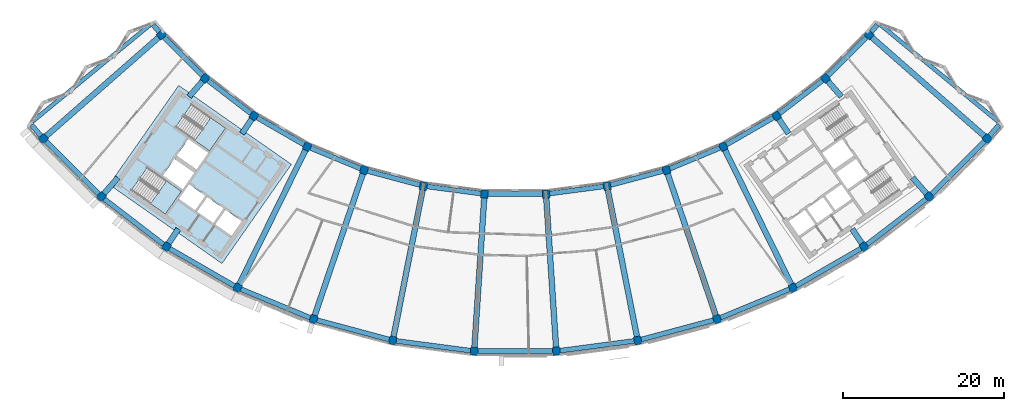
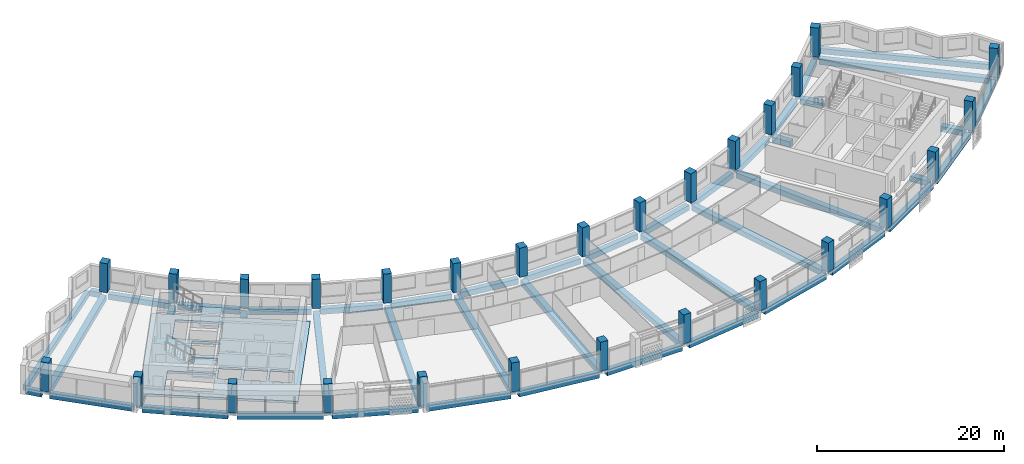
# One storey, part 1 of 28: 50 beams, 28 columns, 3 slabs, 2 elements without a shape of their own.
"""IFC4 building model written with IfcOpenShell, lengths in metres."""

import ifcopenshell
import ifcopenshell.guid

model = None  # the IFC model being written
_history = None  # IfcOwnerHistory: only IFC2X3 demands one
_inside = {}  # id of a spatial element -> (the spatial element, [elements in it])
_under = {}  # id of a project, library or spatial element -> (it, [spatial elements below it])
_declared = {}  # id of a project -> (the project, [libraries it declares])
_typed = {}  # id of a type object -> (the type object, [elements of that type])
_made_of = {}  # id of a material, layer set ... -> (it, [elements and type objects made of it])


def new_model(schema):
    """Start an empty IFC model of exactly this schema.

    Asked for "IFC4X3", IfcOpenShell would pick the latest addendum, in which some entities
    have other attributes; the version numbers below select the first issue.
    IFC2X3 requires an IfcOwnerHistory on every rooted entity: one is made here for all.
    """
    global model, _history
    if schema == "IFC4X3":
        model = ifcopenshell.file(schema_version=(4, 3, 0, 0))
    else:
        model = ifcopenshell.file(schema=schema)
    _inside.clear()
    _under.clear()
    _declared.clear()
    _typed.clear()
    _made_of.clear()
    _history = None
    if model.schema == "IFC2X3":
        org = make("IfcOrganization", Name="unknown")
        user = make(
            "IfcPersonAndOrganization",
            ThePerson=make("IfcPerson", FamilyName="unknown"),
            TheOrganization=org,
        )
        app = make(
            "IfcApplication",
            ApplicationDeveloper=org,
            Version="unknown",
            ApplicationFullName="unknown",
            ApplicationIdentifier="unknown",
        )
        _history = make(
            "IfcOwnerHistory",
            OwningUser=user,
            OwningApplication=app,
            ChangeAction="ADDED",
            CreationDate=0,
        )
    return model


def make(cls, **values):
    """One entity of the class cls with the attributes given. An attribute that is None is left unset."""
    return model.create_entity(
        cls, **{name: value for name, value in values.items() if value is not None}
    )


def rooted(cls, **values):
    """An entity with a GlobalId (a new one), such as an element, a storey or a relation."""
    return make(cls, GlobalId=ifcopenshell.guid.new(), OwnerHistory=_history, **values)


def si_unit(unit_type, name, prefix=None):
    """IfcSIUnit, for example si_unit("LENGTHUNIT", "METRE", prefix="MILLI")."""
    return make("IfcSIUnit", UnitType=unit_type, Prefix=prefix, Name=name)


def assignment(units):
    """IfcUnitAssignment: the units of a project."""
    return None if units is None else make("IfcUnitAssignment", Units=units)


def point(xyz):
    """IfcCartesianPoint."""
    return None if xyz is None else make("IfcCartesianPoint", Coordinates=xyz)


def direction(xyz):
    """IfcDirection."""
    return None if xyz is None else make("IfcDirection", DirectionRatios=xyz)


def frame(location, z_axis=None, x_axis=None):
    """IfcAxis2Placement3D, a coordinate frame: its origin and axes. An axis left out is left unset."""
    return make(
        "IfcAxis2Placement3D",
        Location=point(location),
        Axis=direction(z_axis),
        RefDirection=direction(x_axis),
    )


def frame_2d(location, x_axis=None):
    """IfcAxis2Placement2D, a coordinate frame in the plane: its origin and x axis."""
    return make(
        "IfcAxis2Placement2D", Location=point(location), RefDirection=direction(x_axis)
    )


def origin():
    """The frame at (0, 0, 0) with its axes left unset."""
    return frame((0.0, 0.0, 0.0))


def origin_2d():
    """The frame at (0, 0) in the plane with its x axis left unset."""
    return frame_2d((0.0, 0.0))


def place(relative_to, where):
    """IfcLocalPlacement: puts the frame where relative to a parent placement (None: the world)."""
    return make(
        "IfcLocalPlacement", PlacementRelTo=relative_to, RelativePlacement=where
    )


def context(
    kind, dimensions, precision=None, world=None, true_north=None, identifier=None
):
    """IfcGeometricRepresentationContext, for example the 3D "Model" context."""
    return make(
        "IfcGeometricRepresentationContext",
        ContextIdentifier=identifier,
        ContextType=kind,
        CoordinateSpaceDimension=dimensions,
        Precision=precision,
        WorldCoordinateSystem=world,
        TrueNorth=true_north,
    )


def subcontext(parent, identifier, kind, view, scale=None):
    """IfcGeometricRepresentationSubContext, for example "Body" below "Model"."""
    return make(
        "IfcGeometricRepresentationSubContext",
        ContextIdentifier=identifier,
        ContextType=kind,
        ParentContext=parent,
        TargetScale=scale,
        TargetView=view,
    )


def project(units=None, contexts=None):
    """IfcProject with its units and contexts."""
    return rooted(
        "IfcProject",
        Name="project",
        RepresentationContexts=contexts,
        UnitsInContext=assignment(units),
    )


def spatial(cls, under=None, at=None, **own):
    """A site, building, storey or space (cls), placed at a placement, below another one or the project."""
    s = rooted(cls, ObjectPlacement=at, **own)
    if under is not None:
        _under.setdefault(under.id(), (under, []))[1].append(s)
    return s


def polyline(points):
    """IfcPolyline through the points."""
    return make("IfcPolyline", Points=[point(p) for p in points])


def profile(cls, at=None, kind="AREA", **sizes):
    """A parametric profile (cls). Its sizes go by their IFC names, for example OverallWidth=200.0."""
    return make(cls, ProfileType=kind, Position=at, **sizes)


def rectangle(**sizes):
    """IfcRectangleProfileDef."""
    return profile("IfcRectangleProfileDef", **sizes)


def outline(outer, holes=None, kind="AREA"):
    """IfcArbitraryClosedProfileDef: a profile drawn as a closed curve; with holes, ...WithVoids."""
    if holes is None:
        return make("IfcArbitraryClosedProfileDef", ProfileType=kind, OuterCurve=outer)
    return make(
        "IfcArbitraryProfileDefWithVoids",
        ProfileType=kind,
        OuterCurve=outer,
        InnerCurves=holes,
    )


def extrude(swept, where, along, depth):
    """IfcExtrudedAreaSolid: the profile swept, set in the frame where, extruded along a direction by depth."""
    return make(
        "IfcExtrudedAreaSolid",
        SweptArea=swept,
        Position=where,
        ExtrudedDirection=direction(along),
        Depth=depth,
    )


def shape(context_of_items, identifier, shape_type, items):
    """IfcShapeRepresentation: the items that make up one representation, for example the "Body"."""
    return make(
        "IfcShapeRepresentation",
        ContextOfItems=context_of_items,
        RepresentationIdentifier=identifier,
        RepresentationType=shape_type,
        Items=items,
    )


def material(Name=None, Category=None):
    """IfcMaterial."""
    return make("IfcMaterial", Name=Name, Category=Category)


def layer(
    of_material, thickness, ventilated=None, Name=None, Category=None, Priority=None
):
    """IfcMaterialLayer: one layer of a wall or slab, of a material (None: an air gap)."""
    return make(
        "IfcMaterialLayer",
        Material=of_material,
        LayerThickness=thickness,
        IsVentilated=ventilated,
        Name=Name,
        Category=Category,
        Priority=Priority,
    )


def layer_set(layers, Name=None):
    """IfcMaterialLayerSet."""
    return make("IfcMaterialLayerSet", MaterialLayers=layers, LayerSetName=Name)


def material_profile(
    of_material, cross_section, Name=None, Category=None, Priority=None
):
    """IfcMaterialProfile: a cross section and its material."""
    return make(
        "IfcMaterialProfile",
        Name=Name,
        Material=of_material,
        Profile=cross_section,
        Priority=Priority,
        Category=Category,
    )


def profile_set(profiles, Name=None, composite=None):
    """IfcMaterialProfileSet."""
    return make(
        "IfcMaterialProfileSet",
        Name=Name,
        MaterialProfiles=profiles,
        CompositeProfile=composite,
    )


def made_of(thing, what):
    """Note that an element or type object is made of a material, layer set ...; save() writes the relation."""
    if what is not None:
        _made_of.setdefault(what.id(), (what, []))[1].append(thing)
    return thing


def type_object(cls, material=None, **own):
    """A type object (cls), such as IfcWallType, which elements share."""
    return made_of(rooted(cls, **own), material)


def element(
    cls,
    number,
    at=None,
    inside=None,
    cuts=None,
    type_object=None,
    material=None,
    context=None,
    identifier="Body",
    shape_type=None,
    held_by="IfcProductDefinitionShape",
    body=None,
    shapes=None,
    **own,
):
    """One element of the class cls, such as IfcWall. Its Tag is "e" and its number.

    at: its placement. inside: the storey or other place that contains it. cuts: it is an
    opening in that element (IfcRelVoidsElement). A single representation is given by context,
    identifier, shape_type and body (its items); several are given by shapes. held_by: the class
    of the entity that holds the representations. save() writes the other relations.
    """
    e = rooted(cls, Tag="e%d" % number, ObjectPlacement=at, **own)
    if body is not None:
        shapes = [shape(context, identifier, shape_type, body)]
    if shapes is not None:
        e.Representation = make(held_by, Representations=shapes)
    if inside is not None:
        _inside.setdefault(inside.id(), (inside, []))[1].append(e)
    if cuts is not None:
        rooted(
            "IfcRelVoidsElement", RelatingBuildingElement=cuts, RelatedOpeningElement=e
        )
    if type_object is not None:
        _typed.setdefault(type_object.id(), (type_object, []))[1].append(e)
    return made_of(e, material)


def aggregate(whole, parts):
    """IfcRelAggregates: a whole, such as a stair, and the parts it consists of."""
    return rooted("IfcRelAggregates", RelatingObject=whole, RelatedObjects=parts)


def save(model, path):
    """Write the relations noted so far, then the file.

    IfcRelAggregates (storeys below a building ...), IfcRelContainedInSpatialStructure (elements
    in a storey), IfcRelDefinesByType, IfcRelAssociatesMaterial and IfcRelDeclares: one each for
    every whole, place, type object, material and project.
    """
    for whole, parts in _under.values():
        aggregate(whole, parts)
    for where, things in _inside.values():
        rooted(
            "IfcRelContainedInSpatialStructure",
            RelatedElements=things,
            RelatingStructure=where,
        )
    for kind, things in _typed.values():
        rooted("IfcRelDefinesByType", RelatedObjects=things, RelatingType=kind)
    for what, things in _made_of.values():
        rooted("IfcRelAssociatesMaterial", RelatedObjects=things, RelatingMaterial=what)
    for by, libraries in _declared.values():
        rooted("IfcRelDeclares", RelatingContext=by, RelatedDefinitions=libraries)
    model.write(path)


model = new_model("IFC4")

# Units and contexts
model_context = context("Model", 3, precision=1e-05, world=origin(), true_north=direction((0.0, 1.0)))
body_context = subcontext(model_context, "Body", "Model", "MODEL_VIEW")
ifc_project = project(units=[si_unit("LENGTHUNIT", "METRE"), si_unit("AREAUNIT", "SQUARE_METRE"), si_unit("VOLUMEUNIT", "CUBIC_METRE"), si_unit("PLANEANGLEUNIT", "RADIAN"), si_unit("MASSUNIT", "GRAM", prefix="KILO")], contexts=[model_context])

# Site, building, storey
site_placement = place(None, origin())
site = spatial("IfcSite", under=ifc_project, at=site_placement, CompositionType="ELEMENT")
building_placement = place(site_placement, origin())
building = spatial("IfcBuilding", under=site, at=building_placement, Name="Qamariyya Broadcast Tower", CompositionType="ELEMENT")
storey_placement = place(building_placement, frame((0.0, 0.0, 277.10009765625)))
storey = spatial("IfcBuildingStorey", under=building, at=storey_placement, Name="L67", CompositionType="ELEMENT", Elevation=277.10009765625)

# Columns
ifc_material_1 = material(Name="Concrete C50/60", Category="concrete")
ifc_material_profile_1 = material_profile(ifc_material_1, rectangle(XDim=0.89990234375, YDim=1.0, at=origin_2d()))
ifc_profile_set_1 = profile_set([ifc_material_profile_1], Name="Concrete C50/60")
column_type = type_object("IfcColumnType", Name="RC column 900 x 1000 C50/60", PredefinedType="COLUMN", material=ifc_profile_set_1)
for number, where, z_axis, x_axis, name in (
    (1, (-43.794677734375, -38.406982421875, 0.0), (0.0, 0.0, 1.0), (0.6593458151, -0.751839807479, 0.0), "Column C12 L67 B-R04"),
    (2, (-58.45556640625, -51.26416015625, 0.0), (0.0, 0.0, 1.0), (0.6593458151, -0.751839807479, 0.0), "Column C12 L67 C-R04"),
    (3, (-38.406982421875, -43.794677734375, 0.0), (0.0, 0.0, 1.0), (0.751839807479, -0.6593458151, 0.0), "Column C12 L67 B-R05"),
    (4, (-51.26416015625, -58.45556640625, 0.0), (0.0, 0.0, 1.0), (0.751839807479, -0.6593458151, 0.0), "Column C12 L67 C-R05"),
    (5, (-32.362060546875, -48.43310546875, 0.0), (0.0, 0.0, 1.0), (0.831469612303, -0.55557023302, 0.0), "Column C12 L67 B-R06"),
    (6, (-43.195556640625, -64.646728515625, 0.0), (0.0, 0.0, 1.0), (0.831469612303, -0.55557023302, 0.0), "Column C12 L67 C-R06"),
    (7, (-25.763427734375, -52.242919921875, 0.0), (0.0, 0.0, 1.0), (0.896872741533, -0.442288690219, 0.0), "Column C12 L67 B-R07"),
    (8, (-34.387939453125, -69.73193359375, 0.0), (0.0, 0.0, 1.0), (0.896872741533, -0.442288690219, 0.0), "Column C12 L67 C-R07"),
    (9, (-18.723876953125, -55.15869140625, 0.0), (0.0, 0.0, 1.0), (0.946930129495, -0.321439465303, 0.0), "Column C12 L67 B-R08"),
    (10, (-24.991943359375, -73.623779296875, 0.0), (0.0, 0.0, 1.0), (0.946930129495, -0.321439465303, 0.0), "Column C12 L67 C-R08"),
    (11, (-11.364013671875, -57.130859375, 0.0), (0.0, 0.0, 1.0), (0.980785280403, -0.195090322016, 0.0), "Column C12 L67 B-R09"),
    (12, (-15.168212890625, -76.256103515625, 0.0), (0.0, 0.0, 1.0), (0.980785280403, -0.195090322016, 0.0), "Column C12 L67 C-R09"),
    (13, (-3.809814453125, -58.125244140625, 0.0), (0.0, 0.0, 1.0), (0.997858923239, -0.06540312923, 0.0), "Column C12 L67 B-R10"),
    (14, (-5.085205078125, -77.58349609375, 0.0), (0.0, 0.0, 1.0), (0.997858923239, -0.06540312923, 0.0), "Column C12 L67 C-R10"),
    (15, (3.809814453125, -58.125244140625, 0.0), (0.0, 0.0, 1.0), (0.997858923239, 0.06540312923, 0.0), "Column C12 L67 B-R11"),
    (16, (5.085205078125, -77.58349609375, 0.0), (0.0, 0.0, 1.0), (0.997858923239, 0.06540312923, 0.0), "Column C12 L67 C-R11"),
    (17, (11.364013671875, -57.130859375, 0.0), (0.0, 0.0, 1.0), (0.980785280403, 0.195090322016, 0.0), "Column C12 L67 B-R12"),
    (18, (15.168212890625, -76.256103515625, 0.0), (0.0, 0.0, 1.0), (0.980785280403, 0.195090322016, 0.0), "Column C12 L67 C-R12"),
    (19, (18.723876953125, -55.15869140625, 0.0), (0.0, 0.0, 1.0), (0.946930129495, 0.321439465303, 0.0), "Column C12 L67 B-R13"),
    (20, (24.991943359375, -73.623779296875, 0.0), (0.0, 0.0, 1.0), (0.946930129495, 0.321439465303, 0.0), "Column C12 L67 C-R13"),
    (21, (25.763427734375, -52.242919921875, 0.0), (0.0, 0.0, 1.0), (0.896872741533, 0.442288690219, 0.0), "Column C12 L67 B-R14"),
    (22, (34.387939453125, -69.73193359375, 0.0), (0.0, 0.0, 1.0), (0.896872741533, 0.442288690219, 0.0), "Column C12 L67 C-R14"),
    (23, (32.362060546875, -48.43310546875, 0.0), (0.0, 0.0, 1.0), (0.831469612303, 0.55557023302, 0.0), "Column C12 L67 B-R15"),
    (24, (43.195556640625, -64.646728515625, 0.0), (0.0, 0.0, 1.0), (0.831469612303, 0.55557023302, 0.0), "Column C12 L67 C-R15"),
    (25, (38.406982421875, -43.794677734375, 0.0), (0.0, 0.0, 1.0), (0.751839807479, 0.6593458151, 0.0), "Column C12 L67 B-R16"),
    (26, (51.26416015625, -58.45556640625, 0.0), (0.0, 0.0, 1.0), (0.751839807479, 0.6593458151, 0.0), "Column C12 L67 C-R16"),
    (27, (43.794677734375, -38.406982421875, 0.0), (0.0, 0.0, 1.0), (0.6593458151, 0.751839807479, 0.0), "Column C12 L67 B-R17"),
    (28, (58.45556640625, -51.26416015625, 0.0), (0.0, 0.0, 1.0), (0.6593458151, 0.751839807479, 0.0), "Column C12 L67 C-R17"),
):
    element("IfcColumn", number, at=place(storey_placement, frame(where, z_axis=z_axis, x_axis=x_axis)), inside=storey, type_object=column_type, Name=name, PredefinedType="COLUMN", context=body_context, shape_type="SweptSolid", body=[
        extrude(rectangle(XDim=0.89990234375, YDim=1.0, at=origin_2d()), origin(), (0.0, 0.0, 1.0), 3.7998046875),
    ])

# Beams
ifc_material_2 = material(Name="Concrete C40/50", Category="concrete")
ifc_material_profile_2 = material_profile(ifc_material_2, rectangle(XDim=0.60009765625, YDim=0.699951171875, at=origin_2d()))
ifc_profile_set_2 = profile_set([ifc_material_profile_2], Name="Concrete C40/50")
beam_type_1 = type_object("IfcBeamType", Name="RC edge beam 600 x 700 C40/50", PredefinedType="SPANDREL", material=ifc_profile_set_2)
for number, where, z_axis, x_axis, name in (
    (29, (-43.475830078125, -38.725830078125, -0.650146484375), (0.707106781187, -0.707106781187, 0.0), (0.707106781187, 0.707106781187, 0.0), "Edge beam B20 L67 B R04-R05"),
    (30, (-38.049072265625, -44.069091796875, -0.650146484375), (0.793335450892, -0.608784742219, 0.0), (0.608784742219, 0.793335450892, 0.0), "Edge beam B20 L67 B R05-R06"),
    (31, (-31.971435546875, -48.65869140625, -0.650146484375), (0.866036098112, -0.499981476425, 0.0), (0.499981476425, 0.866036098112, 0.0), "Edge beam B20 L67 B R06-R07"),
    (32, (-25.3466796875, -52.41552734375, -0.650146484375), (0.923888821942, -0.382661004926, 0.0), (0.382661004926, 0.923888821942, 0.0), "Edge beam B20 L67 B R07-R08"),
    (33, (-18.288330078125, -55.275390625, -0.650146484375), (0.965930856343, -0.258800271955, 0.0), (0.258800271955, 0.965930856343, 0.0), "Edge beam B20 L67 B R08-R09"),
    (34, (-10.9169921875, -57.189697265625, -0.650146484375), (0.991447119382, -0.130509039798, 0.0), (0.130509039798, 0.991447119382, 0.0), "Edge beam B20 L67 B R09-R10"),
):
    element("IfcBeam", number, at=place(storey_placement, frame(where, z_axis=z_axis, x_axis=x_axis)), inside=storey, type_object=beam_type_1, Name=name, PredefinedType="SPANDREL", context=body_context, shape_type="SweptSolid", body=[
        extrude(rectangle(XDim=0.60009765625, YDim=0.699951171875, at=origin_2d()), origin(), (0.0, 0.0, 1.0), 6.717529296875),
    ])
beam_1_placement = place(storey_placement, frame((-3.35888671875, -58.125244140625, -0.650146484375), z_axis=(1.0, 0.0, 0.0), x_axis=(0.0, 1.0, 0.0)))
element("IfcBeam", 35, at=beam_1_placement, inside=storey, type_object=beam_type_1, Name="Edge beam B20 L67 B R10-R11", PredefinedType="SPANDREL", context=body_context, shape_type="SweptSolid", body=[
    extrude(rectangle(XDim=0.60009765625, YDim=0.699951171875, at=origin_2d()), origin(), (0.0, 0.0, 1.0), 6.7177734375),
])
for number, where, z_axis, x_axis, name in (
    (36, (4.2568359375, -58.06640625, -0.650146484375), (0.991447119382, 0.130509039798, 0.0), (-0.130509039798, 0.991447119382, 0.0), "Edge beam B20 L67 B R11-R12"),
    (37, (11.799560546875, -57.013916015625, -0.650146484375), (0.965930856343, 0.258800271955, 0.0), (-0.258800271955, 0.965930856343, 0.0), "Edge beam B20 L67 B R12-R13"),
    (38, (19.140380859375, -54.986083984375, -0.650146484375), (0.923888821942, 0.382661004926, 0.0), (-0.382661004926, 0.923888821942, 0.0), "Edge beam B20 L67 B R13-R14"),
    (39, (26.15380859375, -52.017333984375, -0.650146484375), (0.866036098112, 0.499981476425, 0.0), (-0.499981476425, 0.866036098112, 0.0), "Edge beam B20 L67 B R14-R15"),
    (40, (32.7197265625, -48.15869140625, -0.650146484375), (0.793335450892, 0.608784742219, 0.0), (-0.608784742219, 0.793335450892, 0.0), "Edge beam B20 L67 B R15-R16"),
    (41, (38.725830078125, -43.475830078125, -0.650146484375), (0.707106781187, 0.707106781187, 0.0), (-0.707106781187, 0.707106781187, 0.0), "Edge beam B20 L67 B R16-R17"),
):
    element("IfcBeam", number, at=place(storey_placement, frame(where, z_axis=z_axis, x_axis=x_axis)), inside=storey, type_object=beam_type_1, Name=name, PredefinedType="SPANDREL", context=body_context, shape_type="SweptSolid", body=[
        extrude(rectangle(XDim=0.60009765625, YDim=0.699951171875, at=origin_2d()), origin(), (0.0, 0.0, 1.0), 6.717529296875),
    ])
for number, where, z_axis, x_axis, name in (
    (42, (-58.13671875, -51.5830078125, -0.650146484375), (0.707106781187, -0.707106781187, 0.0), (0.707106781187, 0.707106781187, 0.0), "Edge beam B20 L67 C R04-R05"),
    (43, (-50.90625, -58.72998046875, -0.650146484375), (0.793335362304, -0.608784857662, 0.0), (0.608784857662, 0.793335362304, 0.0), "Edge beam B20 L67 C R05-R06"),
):
    element("IfcBeam", number, at=place(storey_placement, frame(where, z_axis=z_axis, x_axis=x_axis)), inside=storey, type_object=beam_type_1, Name=name, PredefinedType="SPANDREL", context=body_context, shape_type="SweptSolid", body=[
        extrude(rectangle(XDim=0.60009765625, YDim=0.699951171875, at=origin_2d()), origin(), (0.0, 0.0, 1.0), 9.268310546875),
    ])
for number, where, z_axis, x_axis, name in (
    (44, (-42.804931640625, -64.872314453125, -0.650146484375), (0.866025032501, -0.50000064308, 0.0), (0.50000064308, 0.866025032501, 0.0), "Edge beam B20 L67 C R06-R07"),
    (45, (-33.97119140625, -69.904541015625, -0.650146484375), (0.923886165939, -0.382667417461, 0.0), (0.382667417461, 0.923886165939, 0.0), "Edge beam B20 L67 C R07-R08"),
):
    element("IfcBeam", number, at=place(storey_placement, frame(where, z_axis=z_axis, x_axis=x_axis)), inside=storey, type_object=beam_type_1, Name=name, PredefinedType="SPANDREL", context=body_context, shape_type="SweptSolid", body=[
        extrude(rectangle(XDim=0.60009765625, YDim=0.699951171875, at=origin_2d()), origin(), (0.0, 0.0, 1.0), 9.26806640625),
    ])
beam_2_placement = place(storey_placement, frame((-24.556396484375, -73.740478515625, -0.650146484375), z_axis=(0.965923830183, -0.258826494556, 0.0), x_axis=(0.258826494556, 0.965923830183, 0.0)))
element("IfcBeam", 46, at=beam_2_placement, inside=storey, type_object=beam_type_1, Name="Edge beam B20 L67 C R08-R09", PredefinedType="SPANDREL", context=body_context, shape_type="SweptSolid", body=[
    extrude(rectangle(XDim=0.60009765625, YDim=0.699951171875, at=origin_2d()), origin(), (0.0, 0.0, 1.0), 9.2685546875),
])
beam_3_placement = place(storey_placement, frame((-14.72119140625, -76.31494140625, -0.650146484375), z_axis=(0.991445327372, -0.130522652562, 0.0), x_axis=(0.130522652562, 0.991445327372, 0.0)))
element("IfcBeam", 47, at=beam_3_placement, inside=storey, type_object=beam_type_1, Name="Edge beam B20 L67 C R09-R10", PredefinedType="SPANDREL", context=body_context, shape_type="SweptSolid", body=[
    extrude(rectangle(XDim=0.60009765625, YDim=0.699951171875, at=origin_2d()), origin(), (0.0, 0.0, 1.0), 9.268310546875),
])
beam_4_placement = place(storey_placement, frame((-4.634033203125, -77.58349609375, -0.650146484375), z_axis=(1.0, 0.0, 0.0), x_axis=(0.0, 1.0, 0.0)))
element("IfcBeam", 48, at=beam_4_placement, inside=storey, type_object=beam_type_1, Name="Edge beam B20 L67 C R10-R11", PredefinedType="SPANDREL", context=body_context, shape_type="SweptSolid", body=[
    extrude(rectangle(XDim=0.60009765625, YDim=0.699951171875, at=origin_2d()), origin(), (0.0, 0.0, 1.0), 9.26806640625),
])
beam_5_placement = place(storey_placement, frame((5.5322265625, -77.524658203125, -0.650146484375), z_axis=(0.991445327372, 0.130522652562, 0.0), x_axis=(-0.130522652562, 0.991445327372, 0.0)))
element("IfcBeam", 49, at=beam_5_placement, inside=storey, type_object=beam_type_1, Name="Edge beam B20 L67 C R11-R12", PredefinedType="SPANDREL", context=body_context, shape_type="SweptSolid", body=[
    extrude(rectangle(XDim=0.60009765625, YDim=0.699951171875, at=origin_2d()), origin(), (0.0, 0.0, 1.0), 9.268310546875),
])
beam_6_placement = place(storey_placement, frame((15.603759765625, -76.139404296875, -0.650146484375), z_axis=(0.965923830183, 0.258826494556, 0.0), x_axis=(-0.258826494556, 0.965923830183, 0.0)))
element("IfcBeam", 50, at=beam_6_placement, inside=storey, type_object=beam_type_1, Name="Edge beam B20 L67 C R12-R13", PredefinedType="SPANDREL", context=body_context, shape_type="SweptSolid", body=[
    extrude(rectangle(XDim=0.60009765625, YDim=0.699951171875, at=origin_2d()), origin(), (0.0, 0.0, 1.0), 9.2685546875),
])
for number, where, z_axis, x_axis, name in (
    (51, (25.408447265625, -73.451171875, -0.650146484375), (0.923886165939, 0.382667417461, 0.0), (-0.382667417461, 0.923886165939, 0.0), "Edge beam B20 L67 C R13-R14"),
    (52, (34.778564453125, -69.50634765625, -0.650146484375), (0.866025032501, 0.50000064308, 0.0), (-0.50000064308, 0.866025032501, 0.0), "Edge beam B20 L67 C R14-R15"),
):
    element("IfcBeam", number, at=place(storey_placement, frame(where, z_axis=z_axis, x_axis=x_axis)), inside=storey, type_object=beam_type_1, Name=name, PredefinedType="SPANDREL", context=body_context, shape_type="SweptSolid", body=[
        extrude(rectangle(XDim=0.60009765625, YDim=0.699951171875, at=origin_2d()), origin(), (0.0, 0.0, 1.0), 9.26806640625),
    ])
for number, where, z_axis, x_axis, name in (
    (53, (43.553466796875, -64.372314453125, -0.650146484375), (0.793335362304, 0.608784857662, 0.0), (-0.608784857662, 0.793335362304, 0.0), "Edge beam B20 L67 C R15-R16"),
    (54, (51.5830078125, -58.13671875, -0.650146484375), (0.707106781187, 0.707106781187, 0.0), (-0.707106781187, 0.707106781187, 0.0), "Edge beam B20 L67 C R16-R17"),
):
    element("IfcBeam", number, at=place(storey_placement, frame(where, z_axis=z_axis, x_axis=x_axis)), inside=storey, type_object=beam_type_1, Name=name, PredefinedType="SPANDREL", context=body_context, shape_type="SweptSolid", body=[
        extrude(rectangle(XDim=0.60009765625, YDim=0.699951171875, at=origin_2d()), origin(), (0.0, 0.0, 1.0), 9.268310546875),
    ])
ifc_material_profile_3 = material_profile(ifc_material_2, rectangle(XDim=0.60009765625, YDim=0.699951171875, at=origin_2d()))
ifc_profile_set_3 = profile_set([ifc_material_profile_3], Name="Concrete C40/50")
beam_type_2 = type_object("IfcBeamType", Name="RC horn beam 600 x 700 C40/50", PredefinedType="BEAM", material=ifc_profile_set_3)
beam_7_placement = place(storey_placement, frame((-44.0859375, -38.063720703125, -0.650146484375), z_axis=(-0.647325232403, 0.762213909276, 0.0), x_axis=(-0.762213909276, -0.647325232403, 0.0)))
element("IfcBeam", 55, at=beam_7_placement, inside=storey, type_object=beam_type_2, Name="Horn beam B19 L67 W B-R04", PredefinedType="BEAM", context=body_context, shape_type="SweptSolid", body=[
    extrude(rectangle(XDim=0.60009765625, YDim=0.699951171875, at=origin_2d()), origin(), (0.0, 0.0, 1.0), 1.162353515625),
])
beam_8_placement = place(storey_placement, frame((-58.746826171875, -50.921142578125, -0.650146484375), z_axis=(-0.647203840747, 0.762316986904, 0.0), x_axis=(-0.762316986904, -0.647203840747, 0.0)))
element("IfcBeam", 56, at=beam_8_placement, inside=storey, type_object=beam_type_2, Name="Horn beam B19 L67 W C-R04", PredefinedType="BEAM", context=body_context, shape_type="SweptSolid", body=[
    extrude(rectangle(XDim=0.60009765625, YDim=0.699951171875, at=origin_2d()), origin(), (0.0, 0.0, 1.0), 1.785888671875),
])
beam_9_placement = place(storey_placement, frame((44.0859375, -38.063720703125, -0.650146484375), z_axis=(0.647325232403, 0.762213909276, 0.0), x_axis=(-0.762213909276, 0.647325232403, 0.0)))
element("IfcBeam", 57, at=beam_9_placement, inside=storey, type_object=beam_type_2, Name="Horn beam B19 L67 E B-R17", PredefinedType="BEAM", context=body_context, shape_type="SweptSolid", body=[
    extrude(rectangle(XDim=0.60009765625, YDim=0.699951171875, at=origin_2d()), origin(), (0.0, 0.0, 1.0), 1.162353515625),
])
beam_10_placement = place(storey_placement, frame((58.746826171875, -50.921142578125, -0.650146484375), z_axis=(0.647203840747, 0.762316986904, 0.0), x_axis=(-0.762316986904, 0.647203840747, 0.0)))
element("IfcBeam", 58, at=beam_10_placement, inside=storey, type_object=beam_type_2, Name="Horn beam B19 L67 E C-R17", PredefinedType="BEAM", context=body_context, shape_type="SweptSolid", body=[
    extrude(rectangle(XDim=0.60009765625, YDim=0.699951171875, at=origin_2d()), origin(), (0.0, 0.0, 1.0), 1.785888671875),
])
ifc_material_profile_4 = material_profile(ifc_material_2, rectangle(XDim=0.5, YDim=0.699951171875, at=origin_2d()))
ifc_profile_set_4 = profile_set([ifc_material_profile_4], Name="Concrete C40/50")
beam_type_3 = type_object("IfcBeamType", Name="RC horn cap beam 500 x 700 C40/50", PredefinedType="BEAM", material=ifc_profile_set_4)
for number, where, z_axis, x_axis, name in (
    (59, (-45.23193359375, -37.177734375, -0.650146484375), (-0.77253320347, -0.634974369196, 0.0), (0.634974369196, -0.77253320347, 0.0), "Horn cap beam B21 L67 W B-C"),
    (60, (45.23193359375, -37.177734375, -0.650146484375), (0.77253320347, -0.634974369196, 0.0), (0.634974369196, 0.77253320347, 0.0), "Horn cap beam B21 L67 E B-C"),
):
    element("IfcBeam", number, at=place(storey_placement, frame(where, z_axis=z_axis, x_axis=x_axis)), inside=storey, type_object=beam_type_3, Name=name, PredefinedType="BEAM", context=body_context, shape_type="SweptSolid", body=[
        extrude(rectangle(XDim=0.5, YDim=0.699951171875, at=origin_2d()), origin(), (0.0, 0.0, 1.0), 18.89990234375),
    ])
ifc_material_profile_5 = material_profile(ifc_material_2, rectangle(XDim=0.699951171875, YDim=0.699951171875, at=origin_2d()))
ifc_profile_set_5 = profile_set([ifc_material_profile_5], Name="Concrete C40/50")
beam_type_4 = type_object("IfcBeamType", Name="RC radial beam 700 x 700 C40/50", PredefinedType="BEAM", material=ifc_profile_set_5)
beam_11_placement = place(storey_placement, frame((-44.170654296875, -38.736572265625, -0.650146484375), z_axis=(-0.751834744467, -0.659351588314, 0.0), x_axis=(0.659351588314, -0.751834744467, 0.0)))
element("IfcBeam", 61, at=beam_11_placement, inside=storey, type_object=beam_type_4, Name="Radial beam B18 L67 R04 B-C", PredefinedType="BEAM", context=body_context, shape_type="SweptSolid", body=[
    extrude(rectangle(XDim=0.699951171875, YDim=0.699951171875, at=origin_2d()), origin(), (0.0, 0.0, 1.0), 18.5),
])
beam_12_placement = place(storey_placement, frame((-38.736572265625, -44.170654296875, -0.650146484375), z_axis=(-0.659370418704, -0.751818229986, 0.0), x_axis=(0.751818229986, -0.659370418704, 0.0)))
element("IfcBeam", 62, at=beam_12_placement, inside=storey, type_object=beam_type_4, Name="Radial beam B18 L67 R05 B-C", PredefinedType="BEAM", context=body_context, shape_type="SweptSolid", body=[
    extrude(rectangle(XDim=0.699951171875, YDim=0.699951171875, at=origin_2d()), origin(), (0.0, 0.0, 1.0), 2.51416015625),
])
beam_13_placement = place(storey_placement, frame((-49.1943359375, -56.095458984375, -0.650146484375), z_axis=(-0.659388288985, -0.751802556759, 0.0), x_axis=(0.751802556759, -0.659388288985, 0.0)))
element("IfcBeam", 63, at=beam_13_placement, inside=storey, type_object=beam_type_4, Name="Radial beam B18 L67 R05 B-C", PredefinedType="BEAM", context=body_context, shape_type="SweptSolid", body=[
    extrude(rectangle(XDim=0.699951171875, YDim=0.699951171875, at=origin_2d()), origin(), (0.0, 0.0, 1.0), 2.63916015625),
])
beam_14_placement = place(storey_placement, frame((-32.6396484375, -48.848876953125, -0.650146484375), z_axis=(-0.555636925355, -0.83142504604, 0.0), x_axis=(0.83142504604, -0.555636925355, 0.0)))
element("IfcBeam", 64, at=beam_14_placement, inside=storey, type_object=beam_type_4, Name="Radial beam B18 L67 R06 B-C", PredefinedType="BEAM", context=body_context, shape_type="SweptSolid", body=[
    extrude(rectangle(XDim=0.699951171875, YDim=0.699951171875, at=origin_2d()), origin(), (0.0, 0.0, 1.0), 2.16455078125),
])
beam_15_placement = place(storey_placement, frame((-41.733154296875, -62.458251953125, -0.650146484375), z_axis=(-0.555598329138, -0.83145083839, 0.0), x_axis=(0.83145083839, -0.555598329138, 0.0)))
element("IfcBeam", 65, at=beam_15_placement, inside=storey, type_object=beam_type_4, Name="Radial beam B18 L67 R06 B-C", PredefinedType="BEAM", context=body_context, shape_type="SweptSolid", body=[
    extrude(rectangle(XDim=0.699951171875, YDim=0.699951171875, at=origin_2d()), origin(), (0.0, 0.0, 1.0), 2.132080078125),
])
for number, where, z_axis, x_axis, name in (
    (66, (-25.984375, -52.691162109375, -0.650146484375), (-0.442287103846, -0.896873523843, 0.0), (0.896873523843, -0.442287103846, 0.0), "Radial beam B18 L67 R07 B-C"),
    (67, (-18.884521484375, -55.632080078125, -0.650146484375), (-0.321444904473, -0.946928283128, 0.0), (0.946928283128, -0.321444904473, 0.0), "Radial beam B18 L67 R08 B-C"),
):
    element("IfcBeam", number, at=place(storey_placement, frame(where, z_axis=z_axis, x_axis=x_axis)), inside=storey, type_object=beam_type_4, Name=name, PredefinedType="BEAM", context=body_context, shape_type="SweptSolid", body=[
        extrude(rectangle(XDim=0.699951171875, YDim=0.699951171875, at=origin_2d()), origin(), (0.0, 0.0, 1.0), 18.500244140625),
    ])
for number, where, z_axis, x_axis, name in (
    (68, (-11.461669921875, -57.62109375, -0.650146484375), (-0.195088200207, -0.980785702455, 0.0), (0.980785702455, -0.195088200207, 0.0), "Radial beam B18 L67 R09 B-C"),
    (69, (-3.842529296875, -58.624267578125, -0.650146484375), (-0.065403084588, -0.997858926165, 0.0), (0.997858926165, -0.065403084588, 0.0), "Radial beam B18 L67 R10 B-C"),
    (70, (3.842529296875, -58.624267578125, -0.650146484375), (0.065403084588, -0.997858926165, 0.0), (0.997858926165, 0.065403084588, 0.0), "Radial beam B18 L67 R11 B-C"),
    (71, (11.461669921875, -57.62109375, -0.650146484375), (0.195088200207, -0.980785702455, 0.0), (0.980785702455, 0.195088200207, 0.0), "Radial beam B18 L67 R12 B-C"),
):
    element("IfcBeam", number, at=place(storey_placement, frame(where, z_axis=z_axis, x_axis=x_axis)), inside=storey, type_object=beam_type_4, Name=name, PredefinedType="BEAM", context=body_context, shape_type="SweptSolid", body=[
        extrude(rectangle(XDim=0.699951171875, YDim=0.699951171875, at=origin_2d()), origin(), (0.0, 0.0, 1.0), 18.5),
    ])
for number, where, z_axis, x_axis, name in (
    (72, (18.884521484375, -55.632080078125, -0.650146484375), (0.321444904473, -0.946928283128, 0.0), (0.946928283128, 0.321444904473, 0.0), "Radial beam B18 L67 R13 B-C"),
    (73, (25.984375, -52.691162109375, -0.650146484375), (0.442287103846, -0.896873523843, 0.0), (0.896873523843, 0.442287103846, 0.0), "Radial beam B18 L67 R14 B-C"),
):
    element("IfcBeam", number, at=place(storey_placement, frame(where, z_axis=z_axis, x_axis=x_axis)), inside=storey, type_object=beam_type_4, Name=name, PredefinedType="BEAM", context=body_context, shape_type="SweptSolid", body=[
        extrude(rectangle(XDim=0.699951171875, YDim=0.699951171875, at=origin_2d()), origin(), (0.0, 0.0, 1.0), 18.500244140625),
    ])
beam_16_placement = place(storey_placement, frame((32.6396484375, -48.848876953125, -0.650146484375), z_axis=(0.555636925355, -0.83142504604, 0.0), x_axis=(0.83142504604, 0.555636925355, 0.0)))
element("IfcBeam", 74, at=beam_16_placement, inside=storey, type_object=beam_type_4, Name="Radial beam B18 L67 R15 B-C", PredefinedType="BEAM", context=body_context, shape_type="SweptSolid", body=[
    extrude(rectangle(XDim=0.699951171875, YDim=0.699951171875, at=origin_2d()), origin(), (0.0, 0.0, 1.0), 2.16455078125),
])
beam_17_placement = place(storey_placement, frame((41.733154296875, -62.458251953125, -0.650146484375), z_axis=(0.555598329138, -0.83145083839, 0.0), x_axis=(0.83145083839, 0.555598329138, 0.0)))
element("IfcBeam", 75, at=beam_17_placement, inside=storey, type_object=beam_type_4, Name="Radial beam B18 L67 R15 B-C", PredefinedType="BEAM", context=body_context, shape_type="SweptSolid", body=[
    extrude(rectangle(XDim=0.699951171875, YDim=0.699951171875, at=origin_2d()), origin(), (0.0, 0.0, 1.0), 2.132080078125),
])
beam_18_placement = place(storey_placement, frame((38.736572265625, -44.170654296875, -0.650146484375), z_axis=(0.659370418704, -0.751818229986, 0.0), x_axis=(0.751818229986, 0.659370418704, 0.0)))
element("IfcBeam", 76, at=beam_18_placement, inside=storey, type_object=beam_type_4, Name="Radial beam B18 L67 R16 B-C", PredefinedType="BEAM", context=body_context, shape_type="SweptSolid", body=[
    extrude(rectangle(XDim=0.699951171875, YDim=0.699951171875, at=origin_2d()), origin(), (0.0, 0.0, 1.0), 2.51416015625),
])
beam_19_placement = place(storey_placement, frame((49.1943359375, -56.095458984375, -0.650146484375), z_axis=(0.659388288985, -0.751802556759, 0.0), x_axis=(0.751802556759, 0.659388288985, 0.0)))
element("IfcBeam", 77, at=beam_19_placement, inside=storey, type_object=beam_type_4, Name="Radial beam B18 L67 R16 B-C", PredefinedType="BEAM", context=body_context, shape_type="SweptSolid", body=[
    extrude(rectangle(XDim=0.699951171875, YDim=0.699951171875, at=origin_2d()), origin(), (0.0, 0.0, 1.0), 2.63916015625),
])
beam_20_placement = place(storey_placement, frame((44.170654296875, -38.736572265625, -0.650146484375), z_axis=(0.751834744467, -0.659351588314, 0.0), x_axis=(0.659351588314, 0.751834744467, 0.0)))
element("IfcBeam", 78, at=beam_20_placement, inside=storey, type_object=beam_type_4, Name="Radial beam B18 L67 R17 B-C", PredefinedType="BEAM", context=body_context, shape_type="SweptSolid", body=[
    extrude(rectangle(XDim=0.699951171875, YDim=0.699951171875, at=origin_2d()), origin(), (0.0, 0.0, 1.0), 18.5),
])

# Slab
ifc_layer_1 = layer(ifc_material_2, 0.300048828125)
ifc_layer_set_1 = layer_set([ifc_layer_1], Name="Core floor slab 300 mm Concrete C40/50")
slab_type_1 = type_object("IfcSlabType", Name="Core floor slab 300 mm Concrete C40/50", PredefinedType="FLOOR", material=ifc_layer_set_1)
slab_1_placement = place(storey_placement, frame((0.0, 0.0, -0.300048828125)))
element("IfcSlab", 79, at=slab_1_placement, inside=storey, type_object=slab_type_1, Name="k-W-L67-slab", PredefinedType="FLOOR", context=body_context, shape_type="SweptSolid", body=[
    extrude(outline(polyline([(-50.286376953125, -56.95751953125), (-36.32373046875, -66.734375), (-27.719970703125, -54.447021484375), (-41.6826171875, -44.67041015625), (-50.286376953125, -56.95751953125)]), holes=[polyline([(-33.87353515625, -61.49169921875), (-35.88037109375, -60.08642578125), (-37.142333984375, -61.888427734375), (-35.13525390625, -63.293701171875), (-33.87353515625, -61.49169921875)]), polyline([(-36.126220703125, -59.914306640625), (-38.133056640625, -58.509033203125), (-39.394775390625, -60.311279296875), (-37.387939453125, -61.716552734375), (-36.126220703125, -59.914306640625)]), polyline([(-38.378662109375, -58.3369140625), (-40.3857421875, -56.931640625), (-41.6474609375, -58.73388671875), (-39.640625, -60.13916015625), (-38.378662109375, -58.3369140625)]), polyline([(-39.742431640625, -55.489990234375), (-42.199951171875, -53.769287109375), (-43.6337890625, -55.817138671875), (-41.17626953125, -57.537841796875), (-39.742431640625, -55.489990234375)]), polyline([(-39.45556640625, -55.080322265625), (-41.9130859375, -53.359619140625), (-40.47900390625, -51.311767578125), (-38.021728515625, -53.032470703125), (-39.45556640625, -55.080322265625)]), polyline([(-42.06103515625, -49.837890625), (-37.849609375, -52.78662109375), (-35.870849609375, -49.960693359375), (-40.082275390625, -47.01171875), (-42.06103515625, -49.837890625)]), polyline([(-47.538818359375, -57.66064453125), (-43.3271484375, -60.609619140625), (-41.348388671875, -57.783447265625), (-45.559814453125, -54.834716796875), (-47.538818359375, -57.66064453125)])]), origin(), (0.0, 0.0, 1.0), 0.300048828125),
])

# Stair, slab
stair_type = type_object("IfcStairType", Name="Exit stair 22 risers of 173 mm", PredefinedType="HALF_TURN_STAIR", material=ifc_material_1)
stair_1_placement = place(storey_placement, origin())
stair_1 = element("IfcStair", 80, at=stair_1_placement, inside=storey, type_object=stair_type, Name="L67 Stair W2", PredefinedType="HALF_TURN_STAIR")
ifc_layer_2 = layer(ifc_material_1, 0.199951171875)
ifc_layer_set_2 = layer_set([ifc_layer_2], Name="Stair landing")
slab_type_2 = type_object("IfcSlabType", Name="Stair landing", PredefinedType="LANDING", material=ifc_layer_set_2)
slab_2_placement = place(storey_placement, frame((0.0, 0.0, 1.699951171875)))
slab_2 = element("IfcSlab", 81, at=slab_2_placement, type_object=slab_type_2, Name="ST-W2 landing 1", PredefinedType="LANDING", context=body_context, shape_type="SweptSolid", body=[
    extrude(outline(polyline([(-39.692138671875, -51.49658203125), (-37.849609375, -52.78662109375), (-35.870849609375, -49.960693359375), (-37.71337890625, -48.67041015625), (-39.692138671875, -51.49658203125)])), origin(), (0.0, 0.0, 1.0), 0.199951171875),
])
aggregate(stair_1, [slab_2])

stair_2_placement = place(storey_placement, origin())
stair_2 = element("IfcStair", 82, at=stair_2_placement, inside=storey, type_object=stair_type, Name="L67 Stair W1", PredefinedType="HALF_TURN_STAIR")
slab_3_placement = place(storey_placement, frame((0.0, 0.0, 1.699951171875)))
slab_3 = element("IfcSlab", 83, at=slab_3_placement, type_object=slab_type_2, Name="ST-W1 landing 1", PredefinedType="LANDING", context=body_context, shape_type="SweptSolid", body=[
    extrude(outline(polyline([(-45.169677734375, -59.319580078125), (-43.3271484375, -60.609619140625), (-41.348388671875, -57.783447265625), (-43.19091796875, -56.493408203125), (-45.169677734375, -59.319580078125)])), origin(), (0.0, 0.0, 1.0), 0.199951171875),
])
aggregate(stair_2, [slab_3])

save(model, "model.ifc")
